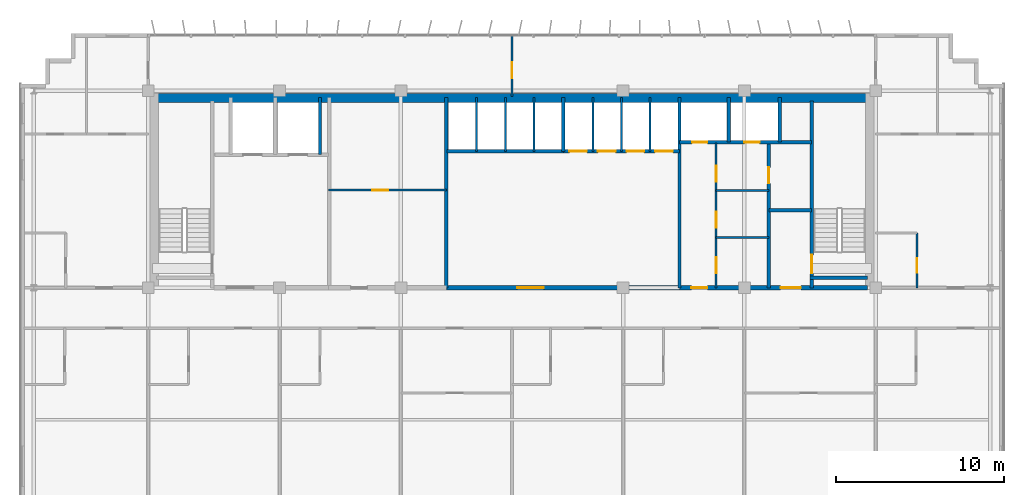
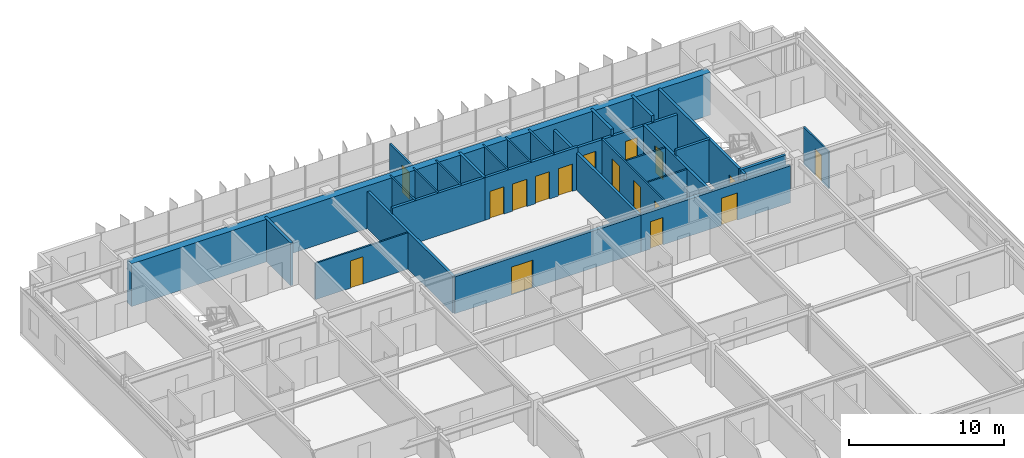
# One storey, part 20 of 23: 28 walls, 17 doors, 17 openings.
"""IFC4 building model written with IfcOpenShell, lengths in metres."""

from ifc_helpers import new_model, si_unit, direction, frame, frame_2d, origin, place, context, subcontext, project, spatial, rectangle, extrude, source, transform, mapped, material, layer, layer_set, type_object, element, fill, save


model = new_model("IFC4")

# Units and contexts
model_context = context("Model", 3, precision=1e-05, world=origin(), true_north=direction((0.0, 1.0)))
body_context = subcontext(model_context, "Body", "Model", "MODEL_VIEW")
ifc_project = project(units=[si_unit("LENGTHUNIT", "METRE"), si_unit("AREAUNIT", "SQUARE_METRE"), si_unit("VOLUMEUNIT", "CUBIC_METRE"), si_unit("PLANEANGLEUNIT", "RADIAN"), si_unit("MASSUNIT", "GRAM", prefix="KILO")], contexts=[model_context])

# Site, building, storey
site_placement = place(None, origin())
site = spatial("IfcSite", under=ifc_project, at=site_placement, CompositionType="ELEMENT")
building_placement = place(site_placement, origin())
building = spatial("IfcBuilding", under=site, at=building_placement, Name="Trelvane Seafront Commons", CompositionType="ELEMENT")
storey_placement = place(building_placement, frame((0.0, 0.0, 219.300048828125)))
storey = spatial("IfcBuildingStorey", under=building, at=storey_placement, Name="L57", CompositionType="ELEMENT", Elevation=219.300048828125)

# Wall, opening, door
ifc_material_1 = material(Name="Concrete C40/50", Category="concrete")
ifc_layer_1 = layer(ifc_material_1, 0.199951171875, Name="ARCH-WALL-FIRE200")
ifc_layer_set_1 = layer_set([ifc_layer_1], Name="Concrete C40/50")
wall_type_1 = type_object("IfcWallType", Name="ARCH-WALL-FIRE200", PredefinedType="PARTITIONING", material=ifc_layer_set_1)
wall_1_placement = place(storey_placement, frame((52.449951171875, 33.39990234375, 0.0), z_axis=(0.0, 0.0, 1.0), x_axis=(0.0, 1.0, 0.0)))
wall_1 = element("IfcWall", 1, at=wall_1_placement, inside=storey, type_object=wall_type_1, Name="W-L57-ST2V-W-031", PredefinedType="PARTITIONING", context=body_context, shape_type="SweptSolid", body=[
    extrude(rectangle(XDim=8.650146484375, YDim=0.199951171875, at=frame_2d((4.3251953125, 0.0))), origin(), (0.0, 0.0, 1.0), 2.909912109375),
])
opening_1_placement = place(wall_1_placement, frame((6.199951171875, 0.0, 0.0)))
opening_1 = element("IfcOpeningElement", 2, at=opening_1_placement, cuts=wall_1, Name="Opening FD-L57-15", PredefinedType="OPENING", context=body_context, shape_type="SweptSolid", body=[
    extrude(rectangle(XDim=0.949951171875, YDim=2.14990234375, at=frame_2d((0.47509765625, 1.074951171875))), frame((0.0, 0.10986328125, 0.0), z_axis=(0.0, -1.0, 0.0), x_axis=(1.0, 0.0, 0.0)), (0.0, 0.0, 1.0), 0.219970703125),
])
ifc_material_2 = material(Name="Powder-coated aluminium frame", Category="aluminium")
door_type_1 = type_object("IfcDoorType", Name="ARCH-DR-FD60-950", OperationType="NOTDEFINED", PredefinedType="DOOR", material=ifc_material_2)
shared_shape_1 = source(origin(), body_context, "Body", "SweptSolid", [
    extrude(rectangle(XDim=0.949951171875, YDim=2.14990234375, at=frame_2d((0.47509765625, 1.074951171875))), frame((0.0, 0.02490234375, 0.0), z_axis=(0.0, -1.0, 0.0), x_axis=(1.0, 0.0, 0.0)), (0.0, 0.0, 1.0), 0.050048828125),
])
door_1_placement = place(opening_1_placement, origin())
door_1 = element("IfcDoor", 3, at=door_1_placement, inside=storey, type_object=door_type_1, Name="L57 Cleaner Store Door", OperationType="SINGLE_SWING_LEFT", OverallHeight=2.14990234375, OverallWidth=0.949951171875, PredefinedType="DOOR", context=body_context, shape_type="MappedRepresentation", body=[
    mapped(shared_shape_1, transform((0.0, 0.0, 0.0), x_axis=(1.0, 0.0, 0.0), y_axis=(0.0, 1.0, 0.0), z_axis=(0.0, 0.0, 1.0), scale=1.0)),
])
fill(opening_1, door_1)

# Wall
wall_2_placement = place(storey_placement, frame((52.449951171875, 38.0, 0.0), z_axis=(0.0, 0.0, 1.0), x_axis=(1.0, 0.0, 0.0)))
element("IfcWall", 4, at=wall_2_placement, inside=storey, type_object=wall_type_1, Name="W-L57-ST2V-N-032", PredefinedType="PARTITIONING", context=body_context, shape_type="SweptSolid", body=[
    extrude(rectangle(XDim=2.550048828125, YDim=0.199951171875, at=frame_2d((1.27490234375, 0.0))), origin(), (0.0, 0.0, 1.0), 3.35986328125),
])

# Wall, opening, door
ifc_layer_2 = layer(ifc_material_1, 0.25, Name="ARCH-WALL-FIRE250")
ifc_layer_set_2 = layer_set([ifc_layer_2], Name="Concrete C40/50")
wall_type_2 = type_object("IfcWallType", Name="ARCH-WALL-FIRE250", PredefinedType="PARTITIONING", material=ifc_layer_set_2)
wall_3_placement = place(storey_placement, frame((33.300048828125, 33.39990234375, 0.0), z_axis=(0.0, 0.0, 1.0), x_axis=(1.0, 0.0, 0.0)))
wall_3 = element("IfcWall", 5, at=wall_3_placement, inside=storey, type_object=wall_type_2, Name="W-L57-CS-PAX-027", PredefinedType="PARTITIONING", context=body_context, shape_type="SweptSolid", body=[
    extrude(rectangle(XDim=13.849853515625, YDim=0.25, at=frame_2d((6.9248046875, 0.0))), origin(), (0.0, 0.0, 1.0), 2.909912109375),
])
opening_2_placement = place(wall_3_placement, frame((4.199951171875, 0.0, 0.0)))
opening_2 = element("IfcOpeningElement", 6, at=opening_2_placement, cuts=wall_3, Name="Opening FD-L57-12", PredefinedType="OPENING", context=body_context, shape_type="SweptSolid", body=[
    extrude(rectangle(XDim=1.60009765625, YDim=2.199951171875, at=frame_2d((0.800048828125, 1.10009765625))), frame((0.0, 0.135009765625, 0.0), z_axis=(0.0, -1.0, 0.0), x_axis=(1.0, 0.0, 0.0)), (0.0, 0.0, 1.0), 0.27001953125),
])
door_type_2 = type_object("IfcDoorType", Name="ARCH-DR-FD60-1600", OperationType="DOUBLE_DOOR_SINGLE_SWING", PredefinedType="DOOR", material=ifc_material_2)
shared_shape_2 = source(origin(), body_context, "Body", "SweptSolid", [
    extrude(rectangle(XDim=1.60009765625, YDim=2.199951171875, at=frame_2d((0.800048828125, 1.10009765625))), frame((0.0, 0.02490234375, 0.0), z_axis=(0.0, -1.0, 0.0), x_axis=(1.0, 0.0, 0.0)), (0.0, 0.0, 1.0), 0.050048828125),
])
door_2_placement = place(opening_2_placement, origin())
door_2 = element("IfcDoor", 7, at=door_2_placement, inside=storey, type_object=door_type_2, Name="L57 Passenger Lift Lobby Double Door", OperationType="DOUBLE_DOOR_SINGLE_SWING", OverallHeight=2.199951171875, OverallWidth=1.60009765625, PredefinedType="DOOR", context=body_context, shape_type="MappedRepresentation", body=[
    mapped(shared_shape_2, transform((0.0, 0.0, 0.0), x_axis=(1.0, 0.0, 0.0), y_axis=(0.0, 1.0, 0.0), z_axis=(0.0, 0.0, 1.0), scale=1.0)),
])
fill(opening_2, door_2)

# Wall, openings, doors
wall_4_placement = place(storey_placement, frame((47.14990234375, 33.39990234375, 0.0), z_axis=(0.0, 0.0, 1.0), x_axis=(1.0, 0.0, 0.0)))
wall_4 = element("IfcWall", 8, at=wall_4_placement, inside=storey, type_object=wall_type_2, Name="W-L57-CS-EAST-036", PredefinedType="PARTITIONING", context=body_context, shape_type="SweptSolid", body=[
    extrude(rectangle(XDim=11.150146484375, YDim=0.25, at=frame_2d((5.5751953125, 0.0))), origin(), (0.0, 0.0, 1.0), 2.909912109375),
])
opening_3_placement = place(wall_4_placement, frame((0.699951171875, 0.0, 0.0)))
opening_3 = element("IfcOpeningElement", 9, at=opening_3_placement, cuts=wall_4, Name="Opening FD-L57-19", PredefinedType="OPENING", context=body_context, shape_type="SweptSolid", body=[
    extrude(rectangle(XDim=0.949951171875, YDim=2.14990234375, at=frame_2d((0.47509765625, 1.074951171875))), frame((0.0, 0.135009765625, 0.0), z_axis=(0.0, -1.0, 0.0), x_axis=(1.0, 0.0, 0.0)), (0.0, 0.0, 1.0), 0.27001953125),
])
opening_4_placement = place(wall_4_placement, frame((6.0, 0.0, 0.0)))
opening_4 = element("IfcOpeningElement", 10, at=opening_4_placement, cuts=wall_4, Name="Opening FD-L57-20", PredefinedType="OPENING", context=body_context, shape_type="SweptSolid", body=[
    extrude(rectangle(XDim=1.199951171875, YDim=2.14990234375, at=frame_2d((0.60009765625, 1.074951171875))), frame((0.0, 0.135009765625, 0.0), z_axis=(0.0, -1.0, 0.0), x_axis=(1.0, 0.0, 0.0)), (0.0, 0.0, 1.0), 0.27001953125),
])
door_3_placement = place(opening_3_placement, origin())
door_3 = element("IfcDoor", 11, at=door_3_placement, inside=storey, type_object=door_type_1, Name="L57 Core Service Lobby Door", OperationType="SINGLE_SWING_LEFT", OverallHeight=2.14990234375, OverallWidth=0.949951171875, PredefinedType="DOOR", context=body_context, shape_type="MappedRepresentation", body=[
    mapped(shared_shape_1, transform((0.0, 0.0, 0.0), x_axis=(1.0, 0.0, 0.0), y_axis=(0.0, 1.0, 0.0), z_axis=(0.0, 0.0, 1.0), scale=1.0)),
])
fill(opening_3, door_3)
door_type_3 = type_object("IfcDoorType", Name="ARCH-DR-FD60-1200", OperationType="NOTDEFINED", PredefinedType="DOOR", material=ifc_material_2)
shared_shape_3 = source(origin(), body_context, "Body", "SweptSolid", [
    extrude(rectangle(XDim=1.199951171875, YDim=2.14990234375, at=frame_2d((0.60009765625, 1.074951171875))), frame((0.0, 0.02490234375, 0.0), z_axis=(0.0, -1.0, 0.0), x_axis=(1.0, 0.0, 0.0)), (0.0, 0.0, 1.0), 0.050048828125),
])
door_4_placement = place(opening_4_placement, origin())
door_4 = element("IfcDoor", 12, at=door_4_placement, inside=storey, type_object=door_type_3, Name="L57 East Stair Vestibule Fire Door", OperationType="SINGLE_SWING_RIGHT", OverallHeight=2.14990234375, OverallWidth=1.199951171875, PredefinedType="DOOR", context=body_context, shape_type="MappedRepresentation", body=[
    mapped(shared_shape_3, transform((0.0, 0.0, 0.0), x_axis=(1.0, 0.0, 0.0), y_axis=(0.0, 1.0, 0.0), z_axis=(0.0, 0.0, 1.0), scale=1.0)),
])
fill(opening_4, door_4)

# Wall, opening, door
ifc_material_3 = material(Name="Gypsum Drywall Acoustic Partition")
ifc_layer_3 = layer(ifc_material_3, 0.1201171875, Name="ARCH-WALL-PART120")
ifc_layer_set_3 = layer_set([ifc_layer_3], Name="Gypsum Drywall Acoustic Partition")
wall_type_3 = type_object("IfcWallType", Name="ARCH-WALL-PART120", PredefinedType="PARTITIONING", material=ifc_layer_set_3)
wall_5_placement = place(storey_placement, frame((26.300048828125, 39.199951171875, 0.0), z_axis=(0.0, 0.0, 1.0), x_axis=(1.0, 0.0, 0.0)))
wall_5 = element("IfcWall", 13, at=wall_5_placement, inside=storey, type_object=wall_type_3, Name="W-L57-FREED-PL-MID-014", PredefinedType="PARTITIONING", context=body_context, shape_type="SweptSolid", body=[
    extrude(rectangle(XDim=7.0, YDim=0.1201171875, at=frame_2d((3.5, 0.0))), origin(), (0.0, 0.0, 1.0), 2.85986328125),
])
opening_5_placement = place(wall_5_placement, frame((2.60009765625, 0.0, 0.0)))
opening_5 = element("IfcOpeningElement", 14, at=opening_5_placement, cuts=wall_5, Name="Opening D-L57-06", PredefinedType="OPENING", context=body_context, shape_type="SweptSolid", body=[
    extrude(rectangle(XDim=0.949951171875, YDim=2.14990234375, at=frame_2d((0.47509765625, 1.074951171875))), frame((0.0, 0.070068359375, 0.0), z_axis=(0.0, -1.0, 0.0), x_axis=(1.0, 0.0, 0.0)), (0.0, 0.0, 1.0), 0.14013671875),
])
ifc_material_4 = material(Name="Acoustic timber door leaf", Category="wood")
door_type_4 = type_object("IfcDoorType", Name="ARCH-DR-INT950", OperationType="NOTDEFINED", PredefinedType="DOOR", material=ifc_material_4)
door_5_placement = place(opening_5_placement, origin())
door_5 = element("IfcDoor", 15, at=door_5_placement, inside=storey, type_object=door_type_4, Name="L57 Housekeeping Store Door", OperationType="SINGLE_SWING_RIGHT", OverallHeight=2.14990234375, OverallWidth=0.949951171875, PredefinedType="DOOR", context=body_context, shape_type="MappedRepresentation", body=[
    mapped(shared_shape_1, transform((0.0, 0.0, 0.0), x_axis=(1.0, 0.0, 0.0), y_axis=(0.0, 1.0, 0.0), z_axis=(0.0, 0.0, 1.0), scale=1.0)),
])
fill(opening_5, door_5)

# Walls
for number, where, z_axis, x_axis, name in (
    (16, (35.10009765625, 41.5, 0.0), (0.0, 0.0, 1.0), (0.0, 1.0, 0.0), "W-L57-PM-DIV1-017"),
    (17, (36.800048828125, 41.5, 0.0), (0.0, 0.0, 1.0), (0.0, 1.0, 0.0), "W-L57-PM-DIV2-018"),
    (18, (38.5, 41.5, 0.0), (0.0, 0.0, 1.0), (0.0, 1.0, 0.0), "W-L57-PM-DIV3-019"),
    (19, (42.0, 41.5, 0.0), (0.0, 0.0, 1.0), (0.0, 1.0, 0.0), "W-L57-PH-DIV1-022"),
    (20, (43.699951171875, 41.5, 0.0), (0.0, 0.0, 1.0), (0.0, 1.0, 0.0), "W-L57-PH-DIV2-023"),
    (21, (45.39990234375, 41.5, 0.0), (0.0, 0.0, 1.0), (0.0, 1.0, 0.0), "W-L57-PH-DIV3-024"),
):
    element("IfcWall", number, at=place(storey_placement, frame(where, z_axis=z_axis, x_axis=x_axis)), inside=storey, type_object=wall_type_3, Name=name, PredefinedType="PARTITIONING", context=body_context, shape_type="SweptSolid", body=[
        extrude(rectangle(XDim=3.199951171875, YDim=0.1201171875, at=frame_2d((1.60009765625, 0.0))), origin(), (0.0, 0.0, 1.0), 3.35986328125),
    ])

# Wall, openings, doors
wall_6_placement = place(storey_placement, frame((49.320068359375, 33.39990234375, 0.0), z_axis=(0.0, 0.0, 1.0), x_axis=(0.0, 1.0, 0.0)))
wall_6 = element("IfcWall", 22, at=wall_6_placement, inside=storey, type_object=wall_type_3, Name="W-L57-CYC3-V-033", PredefinedType="PARTITIONING", context=body_context, shape_type="SweptSolid", body=[
    extrude(rectangle(XDim=8.60009765625, YDim=0.1201171875, at=frame_2d((4.300048828125, 0.0))), origin(), (0.0, 0.0, 1.0), 2.909912109375),
])
opening_6_placement = place(wall_6_placement, frame((0.85009765625, 0.0, 0.0)))
opening_6 = element("IfcOpeningElement", 23, at=opening_6_placement, cuts=wall_6, Name="Opening D-L57-16", PredefinedType="OPENING", context=body_context, shape_type="SweptSolid", body=[
    extrude(rectangle(XDim=0.949951171875, YDim=2.14990234375, at=frame_2d((0.47509765625, 1.074951171875))), frame((0.0, 0.070068359375, 0.0), z_axis=(0.0, -1.0, 0.0), x_axis=(1.0, 0.0, 0.0)), (0.0, 0.0, 1.0), 0.14013671875),
])
opening_7_placement = place(wall_6_placement, frame((3.550048828125, 0.0, 0.0)))
opening_7 = element("IfcOpeningElement", 24, at=opening_7_placement, cuts=wall_6, Name="Opening D-L57-17", PredefinedType="OPENING", context=body_context, shape_type="SweptSolid", body=[
    extrude(rectangle(XDim=0.949951171875, YDim=2.14990234375, at=frame_2d((0.47509765625, 1.074951171875))), frame((0.0, 0.070068359375, 0.0), z_axis=(0.0, -1.0, 0.0), x_axis=(1.0, 0.0, 0.0)), (0.0, 0.0, 1.0), 0.14013671875),
])
opening_8_placement = place(wall_6_placement, frame((6.300048828125, 0.0, 0.0)))
opening_8 = element("IfcOpeningElement", 25, at=opening_8_placement, cuts=wall_6, Name="Opening D-L57-18", PredefinedType="OPENING", context=body_context, shape_type="SweptSolid", body=[
    extrude(rectangle(XDim=0.949951171875, YDim=2.14990234375, at=frame_2d((0.47509765625, 1.074951171875))), frame((0.0, 0.070068359375, 0.0), z_axis=(0.0, -1.0, 0.0), x_axis=(1.0, 0.0, 0.0)), (0.0, 0.0, 1.0), 0.14013671875),
])
door_6_placement = place(opening_6_placement, origin())
door_6 = element("IfcDoor", 26, at=door_6_placement, inside=storey, type_object=door_type_4, Name="L57 Accessible WC Door", OperationType="SINGLE_SWING_RIGHT", OverallHeight=2.14990234375, OverallWidth=0.949951171875, PredefinedType="DOOR", context=body_context, shape_type="MappedRepresentation", body=[
    mapped(shared_shape_1, transform((0.0, 0.0, 0.0), x_axis=(1.0, 0.0, 0.0), y_axis=(0.0, 1.0, 0.0), z_axis=(0.0, 0.0, 1.0), scale=1.0)),
])
fill(opening_6, door_6)
door_7_placement = place(opening_7_placement, origin())
door_7 = element("IfcDoor", 27, at=door_7_placement, inside=storey, type_object=door_type_4, Name="L57 Staff WC Door", OperationType="SINGLE_SWING_LEFT", OverallHeight=2.14990234375, OverallWidth=0.949951171875, PredefinedType="DOOR", context=body_context, shape_type="MappedRepresentation", body=[
    mapped(shared_shape_1, transform((0.0, 0.0, 0.0), x_axis=(1.0, 0.0, 0.0), y_axis=(0.0, 1.0, 0.0), z_axis=(0.0, 0.0, 1.0), scale=1.0)),
])
fill(opening_7, door_7)
door_8_placement = place(opening_8_placement, origin())
door_8 = element("IfcDoor", 28, at=door_8_placement, inside=storey, type_object=door_type_4, Name="L57 Electrical Room Door", OperationType="SINGLE_SWING_RIGHT", OverallHeight=2.14990234375, OverallWidth=0.949951171875, PredefinedType="DOOR", context=body_context, shape_type="MappedRepresentation", body=[
    mapped(shared_shape_1, transform((0.0, 0.0, 0.0), x_axis=(1.0, 0.0, 0.0), y_axis=(0.0, 1.0, 0.0), z_axis=(0.0, 0.0, 1.0), scale=1.0)),
])
fill(opening_8, door_8)

# Walls
for number, where, z_axis, x_axis, name in (
    (29, (49.320068359375, 36.3798828125, 0.0), (0.0, 0.0, 1.0), (1.0, 0.0, 0.0), "W-L57-CYC3-H1-034"),
    (30, (49.320068359375, 39.179931640625, 0.0), (0.0, 0.0, 1.0), (1.0, 0.0, 0.0), "W-L57-CYC3-H2-035"),
):
    element("IfcWall", number, at=place(storey_placement, frame(where, z_axis=z_axis, x_axis=x_axis)), inside=storey, type_object=wall_type_3, Name=name, PredefinedType="PARTITIONING", context=body_context, shape_type="SweptSolid", body=[
        extrude(rectangle(XDim=3.1298828125, YDim=0.1201171875, at=frame_2d((1.56494140625, 0.0))), origin(), (0.0, 0.0, 1.0), 2.85986328125),
    ])

# Wall, opening, door
wall_7_placement = place(storey_placement, frame((61.25, 33.39990234375, 0.0), z_axis=(0.0, 0.0, 1.0), x_axis=(0.0, 1.0, 0.0)))
wall_7 = element("IfcWall", 31, at=wall_7_placement, inside=storey, type_object=wall_type_3, Name="W-L57-NE-BE-043", PredefinedType="PARTITIONING", context=body_context, shape_type="SweptSolid", body=[
    extrude(rectangle(XDim=3.25, YDim=0.1201171875, at=frame_2d((1.625, 0.0))), origin(), (0.0, 0.0, 1.0), 2.909912109375),
])
opening_9_placement = place(wall_7_placement, frame((0.89990234375, 0.0, 0.0)))
opening_9 = element("IfcOpeningElement", 32, at=opening_9_placement, cuts=wall_7, Name="Opening D-L57-25", PredefinedType="OPENING", context=body_context, shape_type="SweptSolid", body=[
    extrude(rectangle(XDim=0.85009765625, YDim=2.10009765625, at=frame_2d((0.425048828125, 1.050048828125))), frame((0.0, 0.070068359375, 0.0), z_axis=(0.0, -1.0, 0.0), x_axis=(1.0, 0.0, 0.0)), (0.0, 0.0, 1.0), 0.14013671875),
])
door_type_5 = type_object("IfcDoorType", Name="ARCH-DR-INT850", OperationType="NOTDEFINED", PredefinedType="DOOR", material=ifc_material_4)
shared_shape_4 = source(origin(), body_context, "Body", "SweptSolid", [
    extrude(rectangle(XDim=0.85009765625, YDim=2.10009765625, at=frame_2d((0.425048828125, 1.050048828125))), frame((0.0, 0.02490234375, 0.0), z_axis=(0.0, -1.0, 0.0), x_axis=(1.0, 0.0, 0.0)), (0.0, 0.0, 1.0), 0.050048828125),
])
door_9_placement = place(opening_9_placement, origin())
door_9 = element("IfcDoor", 33, at=door_9_placement, inside=storey, type_object=door_type_5, Name="L57 Door 25", OperationType="SINGLE_SWING_LEFT", OverallHeight=2.10009765625, OverallWidth=0.85009765625, PredefinedType="DOOR", context=body_context, shape_type="MappedRepresentation", body=[
    mapped(shared_shape_4, transform((0.0, 0.0, 0.0), x_axis=(1.0, 0.0, 0.0), y_axis=(0.0, 1.0, 0.0), z_axis=(0.0, 0.0, 1.0), scale=1.0)),
])
fill(opening_9, door_9)

wall_8_placement = place(storey_placement, frame((37.199951171875, 44.75, 0.0), z_axis=(0.0, 0.0, 1.0), x_axis=(0.0, 1.0, 0.0)))
wall_8 = element("IfcWall", 34, at=wall_8_placement, inside=storey, type_object=wall_type_3, Name="W-L57-N-MID-DV-049", PredefinedType="PARTITIONING", context=body_context, shape_type="SweptSolid", body=[
    extrude(rectangle(XDim=3.610107421875, YDim=0.1201171875, at=frame_2d((1.80517578125, 0.0))), origin(), (0.0, 0.0, 1.0), 2.909912109375),
])
opening_10_placement = place(wall_8_placement, frame((1.10009765625, 0.0, 0.0)))
opening_10 = element("IfcOpeningElement", 35, at=opening_10_placement, cuts=wall_8, Name="Opening D-L57-29", PredefinedType="OPENING", context=body_context, shape_type="SweptSolid", body=[
    extrude(rectangle(XDim=0.949951171875, YDim=2.14990234375, at=frame_2d((0.47509765625, 1.074951171875))), frame((0.0, 0.070068359375, 0.0), z_axis=(0.0, -1.0, 0.0), x_axis=(1.0, 0.0, 0.0)), (0.0, 0.0, 1.0), 0.14013671875),
])
door_10_placement = place(opening_10_placement, origin())
door_10 = element("IfcDoor", 36, at=door_10_placement, inside=storey, type_object=door_type_4, Name="L57 Door 29", OperationType="SINGLE_SWING_LEFT", OverallHeight=2.14990234375, OverallWidth=0.949951171875, PredefinedType="DOOR", context=body_context, shape_type="MappedRepresentation", body=[
    mapped(shared_shape_1, transform((0.0, 0.0, 0.0), x_axis=(1.0, 0.0, 0.0), y_axis=(0.0, 1.0, 0.0), z_axis=(0.0, 0.0, 1.0), scale=1.0)),
])
fill(opening_10, door_10)

# Walls
ifc_layer_4 = layer(ifc_material_1, 0.199951171875, Name="ARCH-WALL-SHAFT200")
ifc_layer_set_4 = layer_set([ifc_layer_4], Name="Concrete C40/50")
wall_type_4 = type_object("IfcWallType", Name="ARCH-WALL-SHAFT200", PredefinedType="SOLIDWALL", material=ifc_layer_set_4)
wall_9_placement = place(storey_placement, frame((25.800048828125, 41.300048828125, 0.0), z_axis=(0.0, 0.0, 1.0), x_axis=(0.0, 1.0, 0.0)))
element("IfcWall", 37, at=wall_9_placement, inside=storey, type_object=wall_type_4, Name="W-L57-FFL-SH-E-011", PredefinedType="SOLIDWALL", context=body_context, shape_type="SweptSolid", body=[
    extrude(rectangle(XDim=3.39990234375, YDim=0.199951171875, at=frame_2d((1.699951171875, 0.0))), origin(), (0.0, 0.0, 1.0), 3.35986328125),
])
wall_10_placement = place(storey_placement, frame((33.300048828125, 33.39990234375, 0.0), z_axis=(0.0, 0.0, 1.0), x_axis=(0.0, 1.0, 0.0)))
element("IfcWall", 38, at=wall_10_placement, inside=storey, type_object=wall_type_4, Name="W-L57-FREED-PL-E-015", PredefinedType="SOLIDWALL", context=body_context, shape_type="SweptSolid", body=[
    extrude(rectangle(XDim=11.300048828125, YDim=0.199951171875, at=frame_2d((5.64990234375, 0.0))), origin(), (0.0, 0.0, 1.0), 2.909912109375),
])
wall_11_placement = place(storey_placement, frame((33.35009765625, 41.5, 0.0), z_axis=(0.0, 0.0, 1.0), x_axis=(1.0, 0.0, 0.0)))
element("IfcWall", 39, at=wall_11_placement, inside=storey, type_object=wall_type_4, Name="W-L57-PM-FRONT-016", PredefinedType="SOLIDWALL", context=body_context, shape_type="SweptSolid", body=[
    extrude(rectangle(XDim=6.89990234375, YDim=0.199951171875, at=frame_2d((3.449951171875, 0.0))), origin(), (0.0, 0.0, 1.0), 3.35986328125),
])

# Wall, openings, doors
wall_12_placement = place(storey_placement, frame((40.25, 41.5, 0.0), z_axis=(0.0, 0.0, 1.0), x_axis=(1.0, 0.0, 0.0)))
wall_12 = element("IfcWall", 40, at=wall_12_placement, inside=storey, type_object=wall_type_4, Name="W-L57-PH-FRONT-020", PredefinedType="SOLIDWALL", context=body_context, shape_type="SweptSolid", body=[
    extrude(rectangle(XDim=6.89990234375, YDim=0.199951171875, at=frame_2d((3.449951171875, 0.0))), origin(), (0.0, 0.0, 1.0), 3.35986328125),
])
opening_11_placement = place(wall_12_placement, frame((0.35009765625, 0.0, 0.0)))
opening_11 = element("IfcOpeningElement", 41, at=opening_11_placement, cuts=wall_12, Name="Opening LD-PH1-L57", PredefinedType="OPENING", context=body_context, shape_type="SweptSolid", body=[
    extrude(rectangle(XDim=1.050048828125, YDim=2.14990234375, at=frame_2d((0.52490234375, 1.074951171875))), frame((0.0, 0.10986328125, 0.0), z_axis=(0.0, -1.0, 0.0), x_axis=(1.0, 0.0, 0.0)), (0.0, 0.0, 1.0), 0.219970703125),
])
opening_12_placement = place(wall_12_placement, frame((2.050048828125, 0.0, 0.0)))
opening_12 = element("IfcOpeningElement", 42, at=opening_12_placement, cuts=wall_12, Name="Opening LD-PH2-L57", PredefinedType="OPENING", context=body_context, shape_type="SweptSolid", body=[
    extrude(rectangle(XDim=1.050048828125, YDim=2.14990234375, at=frame_2d((0.52490234375, 1.074951171875))), frame((0.0, 0.10986328125, 0.0), z_axis=(0.0, -1.0, 0.0), x_axis=(1.0, 0.0, 0.0)), (0.0, 0.0, 1.0), 0.219970703125),
])
opening_13_placement = place(wall_12_placement, frame((3.75, 0.0, 0.0)))
opening_13 = element("IfcOpeningElement", 43, at=opening_13_placement, cuts=wall_12, Name="Opening LD-PH3-L57", PredefinedType="OPENING", context=body_context, shape_type="SweptSolid", body=[
    extrude(rectangle(XDim=1.050048828125, YDim=2.14990234375, at=frame_2d((0.52490234375, 1.074951171875))), frame((0.0, 0.10986328125, 0.0), z_axis=(0.0, -1.0, 0.0), x_axis=(1.0, 0.0, 0.0)), (0.0, 0.0, 1.0), 0.219970703125),
])
opening_14_placement = place(wall_12_placement, frame((5.449951171875, 0.0, 0.0)))
opening_14 = element("IfcOpeningElement", 44, at=opening_14_placement, cuts=wall_12, Name="Opening LD-PH4-L57", PredefinedType="OPENING", context=body_context, shape_type="SweptSolid", body=[
    extrude(rectangle(XDim=1.050048828125, YDim=2.14990234375, at=frame_2d((0.52490234375, 1.074951171875))), frame((0.0, 0.10986328125, 0.0), z_axis=(0.0, -1.0, 0.0), x_axis=(1.0, 0.0, 0.0)), (0.0, 0.0, 1.0), 0.219970703125),
])
ifc_material_5 = material(Name="Stainless steel balustrade", Category="steel")
door_type_6 = type_object("IfcDoorType", Name="ARCH-DR-LD1050", OperationType="DOUBLE_DOOR_SLIDING", PredefinedType="DOOR", material=ifc_material_5)
shared_shape_5 = source(origin(), body_context, "Body", "SweptSolid", [
    extrude(rectangle(XDim=1.050048828125, YDim=2.14990234375, at=frame_2d((0.52490234375, 1.074951171875))), frame((0.0, 0.02490234375, 0.0), z_axis=(0.0, -1.0, 0.0), x_axis=(1.0, 0.0, 0.0)), (0.0, 0.0, 1.0), 0.050048828125),
])
door_11_placement = place(opening_11_placement, origin())
door_11 = element("IfcDoor", 45, at=door_11_placement, inside=storey, type_object=door_type_6, Name="L57 Passenger Lift PH-1 Landing Door", OperationType="DOUBLE_DOOR_SLIDING", OverallHeight=2.14990234375, OverallWidth=1.050048828125, PredefinedType="DOOR", context=body_context, shape_type="MappedRepresentation", body=[
    mapped(shared_shape_5, transform((0.0, 0.0, 0.0), x_axis=(1.0, 0.0, 0.0), y_axis=(0.0, 1.0, 0.0), z_axis=(0.0, 0.0, 1.0), scale=1.0)),
])
fill(opening_11, door_11)
door_12_placement = place(opening_12_placement, origin())
door_12 = element("IfcDoor", 46, at=door_12_placement, inside=storey, type_object=door_type_6, Name="L57 Passenger Lift PH-2 Landing Door", OperationType="DOUBLE_DOOR_SLIDING", OverallHeight=2.14990234375, OverallWidth=1.050048828125, PredefinedType="DOOR", context=body_context, shape_type="MappedRepresentation", body=[
    mapped(shared_shape_5, transform((0.0, 0.0, 0.0), x_axis=(1.0, 0.0, 0.0), y_axis=(0.0, 1.0, 0.0), z_axis=(0.0, 0.0, 1.0), scale=1.0)),
])
fill(opening_12, door_12)
door_13_placement = place(opening_13_placement, origin())
door_13 = element("IfcDoor", 47, at=door_13_placement, inside=storey, type_object=door_type_6, Name="L57 Passenger Lift PH-3 Landing Door", OperationType="DOUBLE_DOOR_SLIDING", OverallHeight=2.14990234375, OverallWidth=1.050048828125, PredefinedType="DOOR", context=body_context, shape_type="MappedRepresentation", body=[
    mapped(shared_shape_5, transform((0.0, 0.0, 0.0), x_axis=(1.0, 0.0, 0.0), y_axis=(0.0, 1.0, 0.0), z_axis=(0.0, 0.0, 1.0), scale=1.0)),
])
fill(opening_13, door_13)
door_14_placement = place(opening_14_placement, origin())
door_14 = element("IfcDoor", 48, at=door_14_placement, inside=storey, type_object=door_type_6, Name="L57 Passenger Lift PH-4 Landing Door", OperationType="DOUBLE_DOOR_SLIDING", OverallHeight=2.14990234375, OverallWidth=1.050048828125, PredefinedType="DOOR", context=body_context, shape_type="MappedRepresentation", body=[
    mapped(shared_shape_5, transform((0.0, 0.0, 0.0), x_axis=(1.0, 0.0, 0.0), y_axis=(0.0, 1.0, 0.0), z_axis=(0.0, 0.0, 1.0), scale=1.0)),
])
fill(opening_14, door_14)

# Walls
wall_13_placement = place(storey_placement, frame((40.25, 41.5, 0.0), z_axis=(0.0, 0.0, 1.0), x_axis=(0.0, 1.0, 0.0)))
element("IfcWall", 49, at=wall_13_placement, inside=storey, type_object=wall_type_4, Name="W-L57-PH-WEST-SH-021", PredefinedType="SOLIDWALL", context=body_context, shape_type="SweptSolid", body=[
    extrude(rectangle(XDim=3.199951171875, YDim=0.199951171875, at=frame_2d((1.60009765625, 0.0))), origin(), (0.0, 0.0, 1.0), 3.35986328125),
])
wall_14_placement = place(storey_placement, frame((47.14990234375, 33.39990234375, 0.0), z_axis=(0.0, 0.0, 1.0), x_axis=(0.0, 1.0, 0.0)))
element("IfcWall", 50, at=wall_14_placement, inside=storey, type_object=wall_type_4, Name="W-L57-PH-EAST-025", PredefinedType="SOLIDWALL", context=body_context, shape_type="SweptSolid", body=[
    extrude(rectangle(XDim=11.300048828125, YDim=0.199951171875, at=frame_2d((5.64990234375, 0.0))), origin(), (0.0, 0.0, 1.0), 2.909912109375),
])

# Wall, openings, doors
wall_15_placement = place(storey_placement, frame((47.14990234375, 42.050048828125, 0.0), z_axis=(0.0, 0.0, 1.0), x_axis=(1.0, 0.0, 0.0)))
wall_15 = element("IfcWall", 51, at=wall_15_placement, inside=storey, type_object=wall_type_4, Name="W-L57-RSR-S-028", PredefinedType="SOLIDWALL", context=body_context, shape_type="SweptSolid", body=[
    extrude(rectangle(XDim=7.85009765625, YDim=0.199951171875, at=frame_2d((3.925048828125, 0.0))), origin(), (0.0, 0.0, 1.0), 2.85986328125),
])
opening_15_placement = place(wall_15_placement, frame((0.75, 0.0, 0.0)))
opening_15 = element("IfcOpeningElement", 52, at=opening_15_placement, cuts=wall_15, Name="Opening FD-L57-13", PredefinedType="OPENING", context=body_context, shape_type="SweptSolid", body=[
    extrude(rectangle(XDim=0.89990234375, YDim=2.10009765625, at=frame_2d((0.449951171875, 1.050048828125))), frame((0.0, 0.10986328125, 0.0), z_axis=(0.0, -1.0, 0.0), x_axis=(1.0, 0.0, 0.0)), (0.0, 0.0, 1.0), 0.219970703125),
])
opening_16_placement = place(wall_15_placement, frame((3.85009765625, 0.0, 0.0)))
opening_16 = element("IfcOpeningElement", 53, at=opening_16_placement, cuts=wall_15, Name="Opening FD-L57-14", PredefinedType="OPENING", context=body_context, shape_type="SweptSolid", body=[
    extrude(rectangle(XDim=0.89990234375, YDim=2.10009765625, at=frame_2d((0.449951171875, 1.050048828125))), frame((0.0, 0.10986328125, 0.0), z_axis=(0.0, -1.0, 0.0), x_axis=(1.0, 0.0, 0.0)), (0.0, 0.0, 1.0), 0.219970703125),
])
door_type_7 = type_object("IfcDoorType", Name="ARCH-DR-FD60-900", OperationType="NOTDEFINED", PredefinedType="DOOR", material=ifc_material_2)
shared_shape_6 = source(origin(), body_context, "Body", "SweptSolid", [
    extrude(rectangle(XDim=0.89990234375, YDim=2.10009765625, at=frame_2d((0.449951171875, 1.050048828125))), frame((0.0, 0.02490234375, 0.0), z_axis=(0.0, -1.0, 0.0), x_axis=(1.0, 0.0, 0.0)), (0.0, 0.0, 1.0), 0.050048828125),
])
door_15_placement = place(opening_15_placement, origin())
door_15 = element("IfcDoor", 54, at=door_15_placement, inside=storey, type_object=door_type_7, Name="L57 Electrical Riser Access Door", OperationType="SINGLE_SWING_LEFT", OverallHeight=2.10009765625, OverallWidth=0.89990234375, PredefinedType="DOOR", context=body_context, shape_type="MappedRepresentation", body=[
    mapped(shared_shape_6, transform((0.0, 0.0, 0.0), x_axis=(1.0, 0.0, 0.0), y_axis=(0.0, 1.0, 0.0), z_axis=(0.0, 0.0, 1.0), scale=1.0)),
])
fill(opening_15, door_15)
door_16_placement = place(opening_16_placement, origin())
door_16 = element("IfcDoor", 55, at=door_16_placement, inside=storey, type_object=door_type_7, Name="L57 Mechanical Riser Access Door", OperationType="SINGLE_SWING_RIGHT", OverallHeight=2.10009765625, OverallWidth=0.89990234375, PredefinedType="DOOR", context=body_context, shape_type="MappedRepresentation", body=[
    mapped(shared_shape_6, transform((0.0, 0.0, 0.0), x_axis=(1.0, 0.0, 0.0), y_axis=(0.0, 1.0, 0.0), z_axis=(0.0, 0.0, 1.0), scale=1.0)),
])
fill(opening_16, door_16)

# Walls
for number, where, z_axis, x_axis, name in (
    (56, (50.080078125, 42.050048828125, 0.0), (0.0, 0.0, 1.0), (0.0, 1.0, 0.0), "W-L57-RSR-DIV-029"),
    (57, (53.10009765625, 42.050048828125, 0.0), (0.0, 0.0, 1.0), (0.0, 1.0, 0.0), "W-L57-RSR-E-030"),
):
    element("IfcWall", number, at=place(storey_placement, frame(where, z_axis=z_axis, x_axis=x_axis)), inside=storey, type_object=wall_type_4, Name=name, PredefinedType="SOLIDWALL", context=body_context, shape_type="SweptSolid", body=[
        extrude(rectangle(XDim=2.64990234375, YDim=0.199951171875, at=frame_2d((1.324951171875, 0.0))), origin(), (0.0, 0.0, 1.0), 3.35986328125),
    ])
ifc_material_6 = material(Name="Concrete C50/60", Category="concrete")
ifc_layer_5 = layer(ifc_material_6, 0.550048828125, Name="STR-WALL-CORE550")
ifc_layer_set_5 = layer_set([ifc_layer_5], Name="Concrete C50/60")
wall_type_5 = type_object("IfcWallType", Name="STR-WALL-CORE550", PredefinedType="SHEAR", material=ifc_layer_set_5)
wall_16_placement = place(storey_placement, frame((15.64990234375, 44.675048828125, 0.0), z_axis=(0.0, 0.0, 1.0), x_axis=(1.0, 0.0, 0.0)))
element("IfcWall", 58, at=wall_16_placement, inside=storey, type_object=wall_type_5, Name="W-L57-CN-ALL-001", PredefinedType="SHEAR", context=body_context, shape_type="SweptSolid", body=[
    extrude(rectangle(XDim=43.10009765625, YDim=0.550048828125, at=frame_2d((21.550048828125, 0.0))), origin(), (0.0, 0.0, 1.0), 3.35986328125),
])
ifc_layer_6 = layer(ifc_material_6, 0.199951171875, Name="STR-WALL-STAIR200")
ifc_layer_set_6 = layer_set([ifc_layer_6], Name="Concrete C50/60")
wall_type_6 = type_object("IfcWallType", Name="STR-WALL-STAIR200", PredefinedType="SHEAR", material=ifc_layer_set_6)
wall_17_placement = place(storey_placement, frame((54.89990234375, 34.0, 0.0), z_axis=(0.0, 0.0, 1.0), x_axis=(1.0, 0.0, 0.0)))
element("IfcWall", 59, at=wall_17_placement, inside=storey, type_object=wall_type_6, Name="W-L57-ST2-S-006", PredefinedType="SHEAR", context=body_context, shape_type="SweptSolid", body=[
    extrude(rectangle(XDim=3.400146484375, YDim=0.199951171875, at=frame_2d((1.7001953125, 0.0))), origin(), (0.0, 0.0, 1.0), 3.35986328125),
])

# Wall, opening, door
wall_18_placement = place(storey_placement, frame((55.0, 33.39990234375, 0.0), z_axis=(0.0, 0.0, 1.0), x_axis=(0.0, 1.0, 0.0)))
wall_18 = element("IfcWall", 60, at=wall_18_placement, inside=storey, type_object=wall_type_6, Name="W-L57-ST2-W-007", PredefinedType="SHEAR", context=body_context, shape_type="SweptSolid", body=[
    extrude(rectangle(XDim=11.10009765625, YDim=0.199951171875, at=frame_2d((5.550048828125, 0.0))), origin(), (0.0, 0.0, 1.0), 3.35986328125),
])
opening_17_placement = place(wall_18_placement, frame((0.85009765625, 0.0, 0.0)))
opening_17 = element("IfcOpeningElement", 61, at=opening_17_placement, cuts=wall_18, Name="Opening ST-D2-L57", PredefinedType="OPENING", context=body_context, shape_type="SweptSolid", body=[
    extrude(rectangle(XDim=1.10009765625, YDim=2.14990234375, at=frame_2d((0.550048828125, 1.074951171875))), frame((0.0, 0.10986328125, 0.0), z_axis=(0.0, -1.0, 0.0), x_axis=(1.0, 0.0, 0.0)), (0.0, 0.0, 1.0), 0.219970703125),
])
door_type_8 = type_object("IfcDoorType", Name="ARCH-DR-FD90-1100", OperationType="NOTDEFINED", PredefinedType="DOOR", material=ifc_material_2)
shared_shape_7 = source(origin(), body_context, "Body", "SweptSolid", [
    extrude(rectangle(XDim=1.10009765625, YDim=2.14990234375, at=frame_2d((0.550048828125, 1.074951171875))), frame((0.0, 0.02490234375, 0.0), z_axis=(0.0, -1.0, 0.0), x_axis=(1.0, 0.0, 0.0)), (0.0, 0.0, 1.0), 0.050048828125),
])
door_17_placement = place(opening_17_placement, origin())
door_17 = element("IfcDoor", 62, at=door_17_placement, inside=storey, type_object=door_type_8, Name="L57 Stair ST-2 Vestibule Fire Door", OperationType="SINGLE_SWING_RIGHT", OverallHeight=2.14990234375, OverallWidth=1.10009765625, PredefinedType="DOOR", context=body_context, shape_type="MappedRepresentation", body=[
    mapped(shared_shape_7, transform((0.0, 0.0, 0.0), x_axis=(1.0, 0.0, 0.0), y_axis=(0.0, 1.0, 0.0), z_axis=(0.0, 0.0, 1.0), scale=1.0)),
])
fill(opening_17, door_17)

save(model, "model.ifc")
